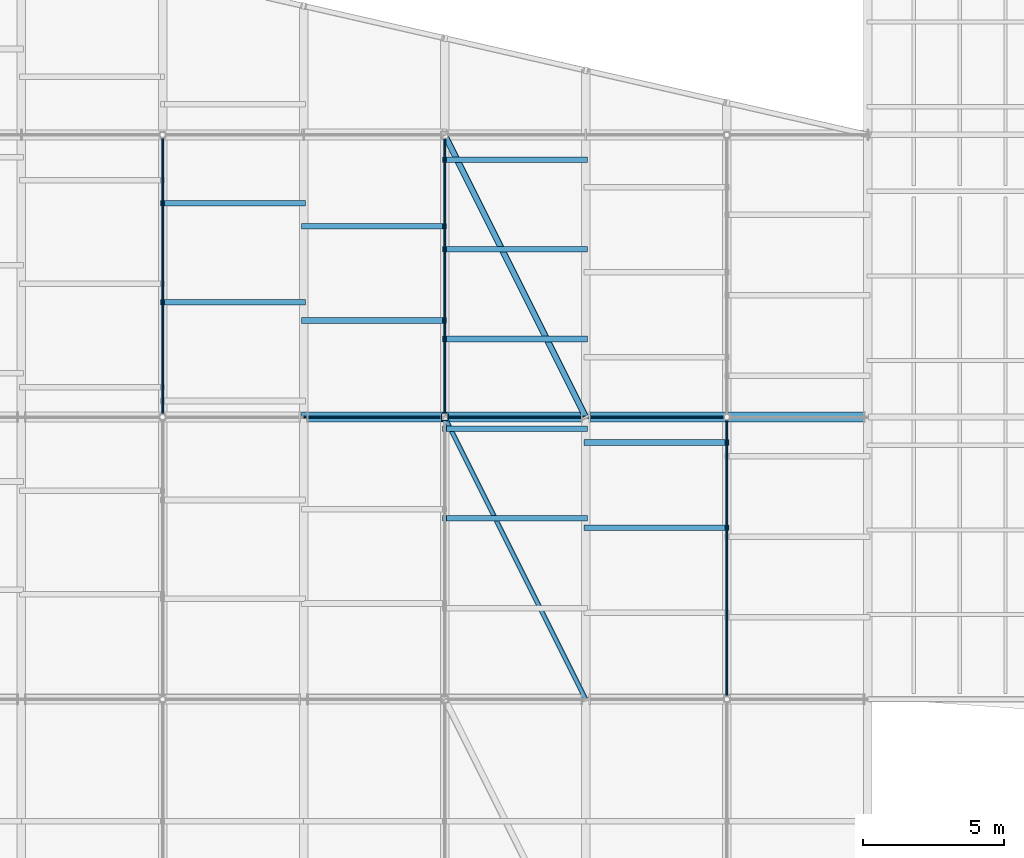
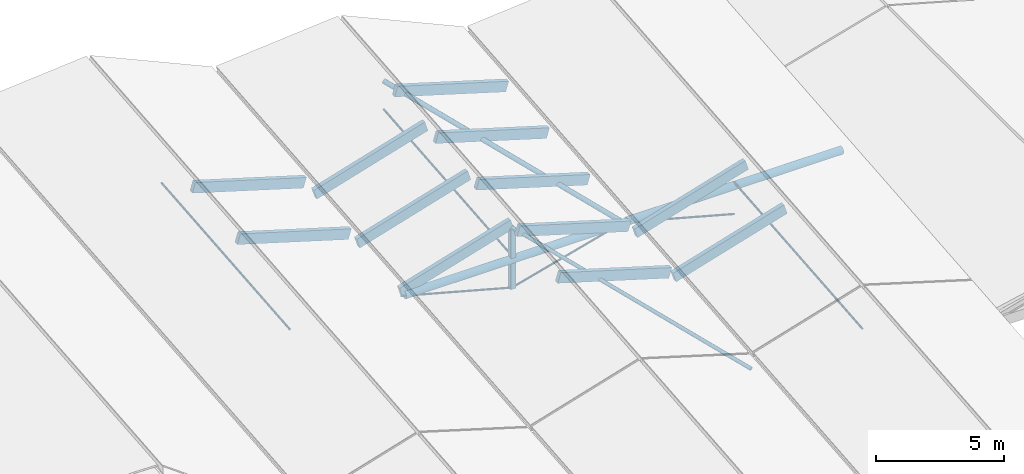
# One storey, part 53 of 90: 21 members, 2 beams.
"""IFC4 building model written with IfcOpenShell, lengths in metres."""

from ifc_helpers import new_model, si_unit, direction, frame, origin, origin_2d, place, context, subcontext, project, spatial, rectangle, hollow_rectangle, circle, hollow_circle, extrude, material, material_profile, profile_set, type_object, element, save


model = new_model("IFC4")

# Units and contexts
model_context = context("Model", 3, precision=1e-05, world=origin(), true_north=direction((0.0, 1.0)))
body_context = subcontext(model_context, "Body", "Model", "MODEL_VIEW")
ifc_project = project(units=[si_unit("LENGTHUNIT", "METRE"), si_unit("AREAUNIT", "SQUARE_METRE"), si_unit("VOLUMEUNIT", "CUBIC_METRE"), si_unit("PLANEANGLEUNIT", "RADIAN"), si_unit("MASSUNIT", "GRAM", prefix="KILO"), si_unit("THERMODYNAMICTEMPERATUREUNIT", "KELVIN"), si_unit("POWERUNIT", "WATT")], contexts=[model_context])

# Site, building, storey
site_placement = place(None, origin())
site = spatial("IfcSite", under=ifc_project, at=site_placement, CompositionType="ELEMENT")
building_placement = place(site_placement, origin())
building = spatial("IfcBuilding", under=site, at=building_placement, Name="Korenveer Ferry Terminal", CompositionType="ELEMENT")
storey_placement = place(building_placement, frame((0.0, 0.0, 22.199951171875)))
storey = spatial("IfcBuildingStorey", under=building, at=storey_placement, Name="RF", CompositionType="ELEMENT", Elevation=22.199951171875)

# Members
ifc_material_1 = material(Name="Steel S355", Category="steel")
ifc_material_profile_1 = material_profile(ifc_material_1, hollow_circle(Radius=0.084228515625, WallThickness=0.010009765625, at=origin_2d()), Name="CHS 168.3x10")
ifc_profile_set_1 = profile_set([ifc_material_profile_1], Name="Steel S355")
member_type_1 = type_object("IfcMemberType", Name="STR-BRC-CHS168", PredefinedType="BRACE", material=ifc_profile_set_1)
member_1_placement = place(storey_placement, frame((113.0, 80.0, -5.95361328125), z_axis=(-0.437110045644, 0.874220091289, 0.211362342872), x_axis=(-0.894427191, -0.4472135955, 0.0)))
element("IfcMember", 1, at=member_1_placement, inside=storey, type_object=member_type_1, Name="Roof wind brace BRCRF-B5-Y80", PredefinedType="BRACE", context=body_context, shape_type="SweptSolid", body=[
    extrude(hollow_circle(Radius=0.084228515625, WallThickness=0.010009765625, at=origin_2d()), origin(), (0.0, 0.0, 1.0), 11.438720703125),
])
ifc_material_profile_2 = material_profile(ifc_material_1, hollow_circle(Radius=0.109619140625, WallThickness=0.012451171875, at=origin_2d()), Name="CHS 219.1x12.5")
ifc_profile_set_2 = profile_set([ifc_material_profile_2], Name="Steel S355")
member_type_2 = type_object("IfcMemberType", Name="STR-BRC-CHS219", PredefinedType="BRACE", material=ifc_profile_set_2)
member_2_placement = place(storey_placement, frame((113.0, 90.0, -5.045654296875), z_axis=(-0.437110045644, 0.874220091289, 0.211362342872), x_axis=(-0.894427191, -0.4472135955, 0.0)))
element("IfcMember", 2, at=member_2_placement, inside=storey, type_object=member_type_2, Name="Roof wind brace BRCRF-B5-Y90", PredefinedType="BRACE", context=body_context, shape_type="SweptSolid", body=[
    extrude(hollow_circle(Radius=0.109619140625, WallThickness=0.012451171875, at=origin_2d()), origin(), (0.0, 0.0, 1.0), 11.438720703125),
])
ifc_material_2 = material(Name="High-strength steel S460", Category="steel")
ifc_material_profile_3 = material_profile(ifc_material_2, circle(Radius=0.044921875, at=origin_2d()), Name="ROD D90")
ifc_profile_set_3 = profile_set([ifc_material_profile_3], Name="High-strength steel S460")
member_type_3 = type_object("IfcMemberType", Name="STR-CBL-D90", PredefinedType="USERDEFINED", material=ifc_profile_set_3)
for number, where, z_axis, x_axis, name in (
    (3, (103.0, 90.0, -5.045654296875), (0.965424337217, 0.0, -0.260683426993), (0.0, 1.0, 0.0), "Roof tension tie cable 81"),
    (4, (113.0, 90.0, -5.045654296875), (-0.965424337217, 0.0, -0.260683426993), (0.0, -1.0, 0.0), "Roof tension tie cable 82"),
    (5, (113.0, 90.0, -5.045654296875), (0.965424337217, 0.0, -0.260683426993), (0.0, 1.0, 0.0), "Roof tension tie cable 83"),
):
    element("IfcMember", number, at=place(storey_placement, frame(where, z_axis=z_axis, x_axis=x_axis)), inside=storey, type_object=member_type_3, Name=name, ObjectType="CABLE", PredefinedType="USERDEFINED", context=body_context, shape_type="SweptSolid", body=[
        extrude(circle(Radius=0.044921875, at=origin_2d()), origin(), (0.0, 0.0, 1.0), 5.178955078125),
    ])
for number, where, z_axis, x_axis, name in (
    (6, (98.0, 90.0, -4.885986328125), (0.0, 0.995903364261, 0.090423940715), (-1.0, 0.0, 0.0), "Longitudinal jaw-stay cable 123"),
    (7, (108.0, 90.0, -4.885986328125), (0.0, 0.995903364261, 0.090423940715), (-1.0, 0.0, 0.0), "Longitudinal jaw-stay cable 128"),
    (8, (118.0, 80.0, -5.7939453125), (0.0, 0.995903364261, 0.090423940715), (-1.0, 0.0, 0.0), "Longitudinal jaw-stay cable 132"),
):
    element("IfcMember", number, at=place(storey_placement, frame(where, z_axis=z_axis, x_axis=x_axis)), inside=storey, type_object=member_type_3, Name=name, ObjectType="CABLE", PredefinedType="USERDEFINED", context=body_context, shape_type="SweptSolid", body=[
        extrude(circle(Radius=0.044921875, at=origin_2d()), origin(), (0.0, 0.0, 1.0), 10.041015625),
    ])
ifc_material_3 = material(Name="Glulam GL28h", Category="wood")
ifc_material_profile_4 = material_profile(ifc_material_3, rectangle(XDim=0.199951171875, YDim=0.47998046875, at=origin_2d()), Name="GL 200x480")
ifc_profile_set_4 = profile_set([ifc_material_profile_4], Name="Glulam GL28h")
member_type_4 = type_object("IfcMemberType", Name="STR-PUR-GL200", PredefinedType="PURLIN", material=ifc_profile_set_4)
for number, where, z_axis, x_axis, name in (
    (9, (98.0, 94.07275390625, -3.0078125), (0.957310140112, 0.0, -0.289062788401), (0.0, 1.0, 0.0), "Folded roof glulam purlin 178"),
    (10, (98.0, 97.578369140625, -2.689453125), (0.957310140112, 0.0, -0.289062788401), (0.0, 1.0, 0.0), "Folded roof glulam purlin 179"),
    (11, (103.0, 90.0771484375, -4.88037109375), (0.957310140112, 0.0, 0.289062788401), (0.0, 1.0, 0.0), "Folded roof glulam purlin 207"),
    (12, (103.0, 93.419677734375, -4.576904296875), (0.957310140112, 0.0, 0.289062788401), (0.0, 1.0, 0.0), "Folded roof glulam purlin 208"),
    (13, (103.0, 96.761962890625, -4.2734375), (0.957310140112, 0.0, 0.289062788401), (0.0, 1.0, 0.0), "Folded roof glulam purlin 209"),
    (14, (108.0, 86.408203125, -3.703857421875), (0.957323074362, 0.0, -0.289019949647), (0.0, 1.0, 0.0), "Folded roof glulam purlin 212"),
    (15, (108.0, 89.58740234375, -3.4150390625), (0.957310140112, 0.0, -0.289062788401), (0.0, 1.0, 0.0), "Folded roof glulam purlin 213"),
    (16, (108.0, 92.7666015625, -3.12646484375), (0.957310140112, 0.0, -0.289062788401), (0.0, 1.0, 0.0), "Folded roof glulam purlin 214"),
    (17, (108.0, 95.94580078125, -2.837646484375), (0.957310140112, 0.0, -0.289062788401), (0.0, 1.0, 0.0), "Folded roof glulam purlin 215"),
    (18, (108.0, 99.124755859375, -2.549072265625), (0.957310140112, 0.0, -0.289062788401), (0.0, 1.0, 0.0), "Folded roof glulam purlin 216"),
    (19, (113.0, 86.081787109375, -5.2431640625), (0.957310140112, 0.0, 0.289062788401), (0.0, 1.0, 0.0), "Folded roof glulam purlin 242"),
    (20, (113.0, 89.09765625, -4.96923828125), (0.957310140112, 0.0, 0.289062788401), (0.0, 1.0, 0.0), "Folded roof glulam purlin 243"),
):
    element("IfcMember", number, at=place(storey_placement, frame(where, z_axis=z_axis, x_axis=x_axis)), inside=storey, type_object=member_type_4, Name=name, PredefinedType="PURLIN", context=body_context, shape_type="SweptSolid", body=[
        extrude(rectangle(XDim=0.199951171875, YDim=0.47998046875, at=origin_2d()), origin(), (0.0, 0.0, 1.0), 5.222900390625),
    ])

# Beams
ifc_material_profile_5 = material_profile(ifc_material_1, hollow_circle(Radius=0.177734375, WallThickness=0.01611328125, at=origin_2d()), Name="CHS 355.6x16")
ifc_profile_set_5 = profile_set([ifc_material_profile_5], Name="Steel S355")
beam_type = type_object("IfcBeamType", Name="STR-RFG-CHS355", PredefinedType="USERDEFINED", material=ifc_profile_set_5)
for number, where, z_axis, x_axis, name in (
    (21, (103.159912109375, 90.0, -5.045654296875), (1.0, 0.0, 0.0), (0.0, 1.0, 0.0), "Roof transverse tie girder 129"),
    (22, (113.159912109375, 90.0, -5.045654296875), (1.0, 0.0, 0.0), (0.0, 1.0, 0.0), "Roof transverse tie girder 130"),
):
    element("IfcBeam", number, at=place(storey_placement, frame(where, z_axis=z_axis, x_axis=x_axis)), inside=storey, type_object=beam_type, Name=name, ObjectType="ROOF GIRDER", PredefinedType="USERDEFINED", context=body_context, shape_type="SweptSolid", body=[
        extrude(hollow_circle(Radius=0.177734375, WallThickness=0.01611328125, at=origin_2d()), origin(), (0.0, 0.0, 1.0), 9.68017578125),
    ])

# Member
ifc_material_profile_6 = material_profile(ifc_material_1, hollow_rectangle(XDim=0.25, YDim=0.25, WallThickness=0.012451171875, InnerFilletRadius=0.012451171875, OuterFilletRadius=0.018798828125, at=origin_2d()), Name="SHS 250x250x12.5")
ifc_profile_set_6 = profile_set([ifc_material_profile_6], Name="Steel S355")
member_type_5 = type_object("IfcMemberType", Name="STR-STT-SHS250", PredefinedType="STRUT", material=ifc_profile_set_6)
member_3_placement = place(storey_placement, frame((108.0, 90.0, -6.395751953125), z_axis=(0.0, 0.0, 1.0), x_axis=(1.0, 0.0, 0.0)))
element("IfcMember", 23, at=member_3_placement, inside=storey, type_object=member_type_5, Name="Roof king-post strut STTKP-Y90-B5", PredefinedType="STRUT", context=body_context, shape_type="SweptSolid", body=[
    extrude(hollow_rectangle(XDim=0.25, YDim=0.25, WallThickness=0.012451171875, InnerFilletRadius=0.012451171875, OuterFilletRadius=0.018798828125, at=origin_2d()), origin(), (0.0, 0.0, 1.0), 2.85986328125),
])

save(model, "model.ifc")
